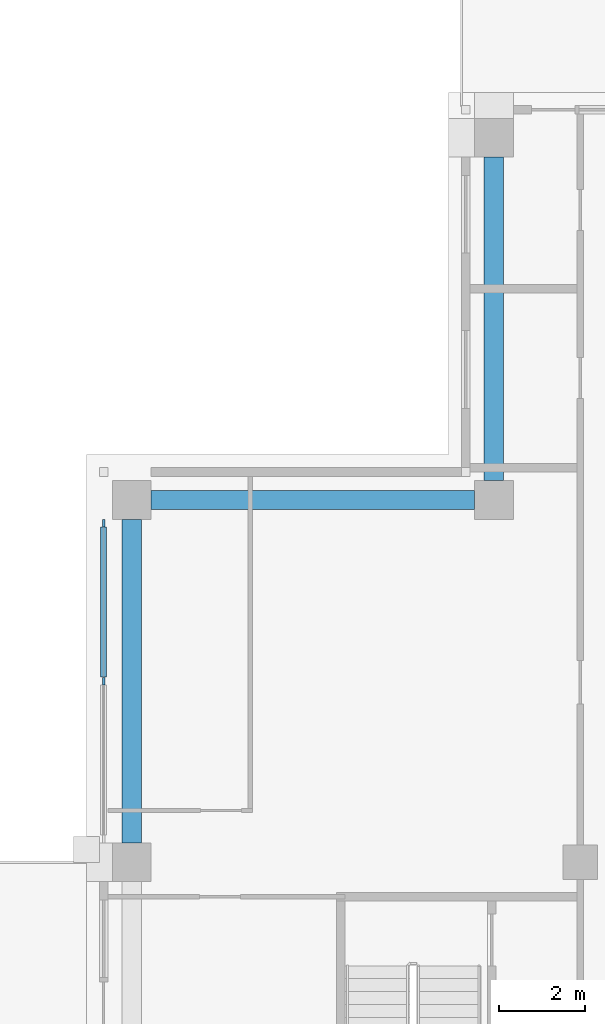
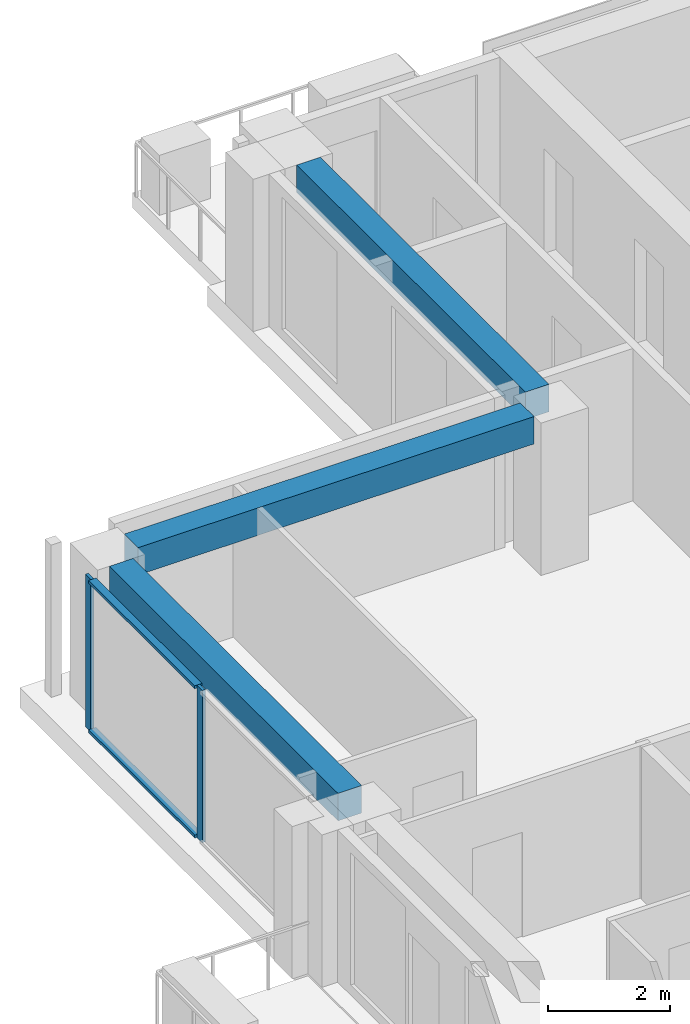
# One storey, part 5 of 17: 4 members, 3 beams, 1 element without a shape of its own.
"""IFC4 building model written with IfcOpenShell, lengths in metres."""

import ifcopenshell
import ifcopenshell.guid

model = None  # the IFC model being written
_history = None  # IfcOwnerHistory: only IFC2X3 demands one
_inside = {}  # id of a spatial element -> (the spatial element, [elements in it])
_under = {}  # id of a project, library or spatial element -> (it, [spatial elements below it])
_declared = {}  # id of a project -> (the project, [libraries it declares])
_typed = {}  # id of a type object -> (the type object, [elements of that type])
_made_of = {}  # id of a material, layer set ... -> (it, [elements and type objects made of it])


def new_model(schema):
    """Start an empty IFC model of exactly this schema.

    Asked for "IFC4X3", IfcOpenShell would pick the latest addendum, in which some entities
    have other attributes; the version numbers below select the first issue.
    IFC2X3 requires an IfcOwnerHistory on every rooted entity: one is made here for all.
    """
    global model, _history
    if schema == "IFC4X3":
        model = ifcopenshell.file(schema_version=(4, 3, 0, 0))
    else:
        model = ifcopenshell.file(schema=schema)
    _inside.clear()
    _under.clear()
    _declared.clear()
    _typed.clear()
    _made_of.clear()
    _history = None
    if model.schema == "IFC2X3":
        org = make("IfcOrganization", Name="unknown")
        user = make(
            "IfcPersonAndOrganization",
            ThePerson=make("IfcPerson", FamilyName="unknown"),
            TheOrganization=org,
        )
        app = make(
            "IfcApplication",
            ApplicationDeveloper=org,
            Version="unknown",
            ApplicationFullName="unknown",
            ApplicationIdentifier="unknown",
        )
        _history = make(
            "IfcOwnerHistory",
            OwningUser=user,
            OwningApplication=app,
            ChangeAction="ADDED",
            CreationDate=0,
        )
    return model


def make(cls, **values):
    """One entity of the class cls with the attributes given. An attribute that is None is left unset."""
    return model.create_entity(
        cls, **{name: value for name, value in values.items() if value is not None}
    )


def rooted(cls, **values):
    """An entity with a GlobalId (a new one), such as an element, a storey or a relation."""
    return make(cls, GlobalId=ifcopenshell.guid.new(), OwnerHistory=_history, **values)


def si_unit(unit_type, name, prefix=None):
    """IfcSIUnit, for example si_unit("LENGTHUNIT", "METRE", prefix="MILLI")."""
    return make("IfcSIUnit", UnitType=unit_type, Prefix=prefix, Name=name)


def assignment(units):
    """IfcUnitAssignment: the units of a project."""
    return None if units is None else make("IfcUnitAssignment", Units=units)


def point(xyz):
    """IfcCartesianPoint."""
    return None if xyz is None else make("IfcCartesianPoint", Coordinates=xyz)


def direction(xyz):
    """IfcDirection."""
    return None if xyz is None else make("IfcDirection", DirectionRatios=xyz)


def frame(location, z_axis=None, x_axis=None):
    """IfcAxis2Placement3D, a coordinate frame: its origin and axes. An axis left out is left unset."""
    return make(
        "IfcAxis2Placement3D",
        Location=point(location),
        Axis=direction(z_axis),
        RefDirection=direction(x_axis),
    )


def frame_2d(location, x_axis=None):
    """IfcAxis2Placement2D, a coordinate frame in the plane: its origin and x axis."""
    return make(
        "IfcAxis2Placement2D", Location=point(location), RefDirection=direction(x_axis)
    )


def origin():
    """The frame at (0, 0, 0) with its axes left unset."""
    return frame((0.0, 0.0, 0.0))


def origin_2d():
    """The frame at (0, 0) in the plane with its x axis left unset."""
    return frame_2d((0.0, 0.0))


def place(relative_to, where):
    """IfcLocalPlacement: puts the frame where relative to a parent placement (None: the world)."""
    return make(
        "IfcLocalPlacement", PlacementRelTo=relative_to, RelativePlacement=where
    )


def context(
    kind, dimensions, precision=None, world=None, true_north=None, identifier=None
):
    """IfcGeometricRepresentationContext, for example the 3D "Model" context."""
    return make(
        "IfcGeometricRepresentationContext",
        ContextIdentifier=identifier,
        ContextType=kind,
        CoordinateSpaceDimension=dimensions,
        Precision=precision,
        WorldCoordinateSystem=world,
        TrueNorth=true_north,
    )


def subcontext(parent, identifier, kind, view, scale=None):
    """IfcGeometricRepresentationSubContext, for example "Body" below "Model"."""
    return make(
        "IfcGeometricRepresentationSubContext",
        ContextIdentifier=identifier,
        ContextType=kind,
        ParentContext=parent,
        TargetScale=scale,
        TargetView=view,
    )


def project(units=None, contexts=None):
    """IfcProject with its units and contexts."""
    return rooted(
        "IfcProject",
        Name="project",
        RepresentationContexts=contexts,
        UnitsInContext=assignment(units),
    )


def spatial(cls, under=None, at=None, **own):
    """A site, building, storey or space (cls), placed at a placement, below another one or the project."""
    s = rooted(cls, ObjectPlacement=at, **own)
    if under is not None:
        _under.setdefault(under.id(), (under, []))[1].append(s)
    return s


def profile(cls, at=None, kind="AREA", **sizes):
    """A parametric profile (cls). Its sizes go by their IFC names, for example OverallWidth=200.0."""
    return make(cls, ProfileType=kind, Position=at, **sizes)


def rectangle(**sizes):
    """IfcRectangleProfileDef."""
    return profile("IfcRectangleProfileDef", **sizes)


def extrude(swept, where, along, depth):
    """IfcExtrudedAreaSolid: the profile swept, set in the frame where, extruded along a direction by depth."""
    return make(
        "IfcExtrudedAreaSolid",
        SweptArea=swept,
        Position=where,
        ExtrudedDirection=direction(along),
        Depth=depth,
    )


def shape(context_of_items, identifier, shape_type, items):
    """IfcShapeRepresentation: the items that make up one representation, for example the "Body"."""
    return make(
        "IfcShapeRepresentation",
        ContextOfItems=context_of_items,
        RepresentationIdentifier=identifier,
        RepresentationType=shape_type,
        Items=items,
    )


def material(Name=None, Category=None):
    """IfcMaterial."""
    return make("IfcMaterial", Name=Name, Category=Category)


def material_profile(
    of_material, cross_section, Name=None, Category=None, Priority=None
):
    """IfcMaterialProfile: a cross section and its material."""
    return make(
        "IfcMaterialProfile",
        Name=Name,
        Material=of_material,
        Profile=cross_section,
        Priority=Priority,
        Category=Category,
    )


def profile_set(profiles, Name=None, composite=None):
    """IfcMaterialProfileSet."""
    return make(
        "IfcMaterialProfileSet",
        Name=Name,
        MaterialProfiles=profiles,
        CompositeProfile=composite,
    )


def made_of(thing, what):
    """Note that an element or type object is made of a material, layer set ...; save() writes the relation."""
    if what is not None:
        _made_of.setdefault(what.id(), (what, []))[1].append(thing)
    return thing


def type_object(cls, material=None, **own):
    """A type object (cls), such as IfcWallType, which elements share."""
    return made_of(rooted(cls, **own), material)


def element(
    cls,
    number,
    at=None,
    inside=None,
    cuts=None,
    type_object=None,
    material=None,
    context=None,
    identifier="Body",
    shape_type=None,
    held_by="IfcProductDefinitionShape",
    body=None,
    shapes=None,
    **own,
):
    """One element of the class cls, such as IfcWall. Its Tag is "e" and its number.

    at: its placement. inside: the storey or other place that contains it. cuts: it is an
    opening in that element (IfcRelVoidsElement). A single representation is given by context,
    identifier, shape_type and body (its items); several are given by shapes. held_by: the class
    of the entity that holds the representations. save() writes the other relations.
    """
    e = rooted(cls, Tag="e%d" % number, ObjectPlacement=at, **own)
    if body is not None:
        shapes = [shape(context, identifier, shape_type, body)]
    if shapes is not None:
        e.Representation = make(held_by, Representations=shapes)
    if inside is not None:
        _inside.setdefault(inside.id(), (inside, []))[1].append(e)
    if cuts is not None:
        rooted(
            "IfcRelVoidsElement", RelatingBuildingElement=cuts, RelatedOpeningElement=e
        )
    if type_object is not None:
        _typed.setdefault(type_object.id(), (type_object, []))[1].append(e)
    return made_of(e, material)


def aggregate(whole, parts):
    """IfcRelAggregates: a whole, such as a stair, and the parts it consists of."""
    return rooted("IfcRelAggregates", RelatingObject=whole, RelatedObjects=parts)


def save(model, path):
    """Write the relations noted so far, then the file.

    IfcRelAggregates (storeys below a building ...), IfcRelContainedInSpatialStructure (elements
    in a storey), IfcRelDefinesByType, IfcRelAssociatesMaterial and IfcRelDeclares: one each for
    every whole, place, type object, material and project.
    """
    for whole, parts in _under.values():
        aggregate(whole, parts)
    for where, things in _inside.values():
        rooted(
            "IfcRelContainedInSpatialStructure",
            RelatedElements=things,
            RelatingStructure=where,
        )
    for kind, things in _typed.values():
        rooted("IfcRelDefinesByType", RelatedObjects=things, RelatingType=kind)
    for what, things in _made_of.values():
        rooted("IfcRelAssociatesMaterial", RelatedObjects=things, RelatingMaterial=what)
    for by, libraries in _declared.values():
        rooted("IfcRelDeclares", RelatingContext=by, RelatedDefinitions=libraries)
    model.write(path)


model = new_model("IFC4")

# Units and contexts
model_context = context("Model", 3, precision=1e-05, world=origin(), true_north=direction((0.0, 1.0)))
body_context = subcontext(model_context, "Body", "Model", "MODEL_VIEW")
ifc_project = project(units=[si_unit("LENGTHUNIT", "METRE"), si_unit("AREAUNIT", "SQUARE_METRE"), si_unit("VOLUMEUNIT", "CUBIC_METRE"), si_unit("PLANEANGLEUNIT", "RADIAN"), si_unit("MASSUNIT", "GRAM", prefix="KILO")], contexts=[model_context])

# Site, building, storey
site_placement = place(None, origin())
site = spatial("IfcSite", under=ifc_project, at=site_placement, CompositionType="ELEMENT")
building_placement = place(site_placement, origin())
building = spatial("IfcBuilding", under=site, at=building_placement, Name="Vermilion Ogive Tower", CompositionType="ELEMENT")
storey_placement = place(building_placement, frame((0.0, 0.0, 244.14990234375)))
storey = spatial("IfcBuildingStorey", under=building, at=storey_placement, Name="L64", CompositionType="ELEMENT", Elevation=244.14990234375)

# Curtain wall, members
ifc_material_1 = material(Name="Low-iron laminated glazing in aluminium frame", Category="aluminium")
curtain_wall_type = type_object("IfcCurtainWallType", Name="Curtain wall CW7", PredefinedType="NOTDEFINED", material=ifc_material_1)
curtain_wall_placement = place(storey_placement, origin())
curtain_wall = element("IfcCurtainWall", 1, at=curtain_wall_placement, inside=storey, type_object=curtain_wall_type, Name="Glazed skin W1", PredefinedType="NOTDEFINED")
ifc_material_2 = material(Name="Aluminium mullion", Category="aluminium")
ifc_material_profile_1 = material_profile(ifc_material_2, rectangle(XDim=0.06005859375, YDim=0.179931640625, at=origin_2d()), Name="AL 60x180")
ifc_profile_set_1 = profile_set([ifc_material_profile_1], Name="Aluminium mullion")
member_type_1 = type_object("IfcMemberType", Name="CW7 mullion 60x180", PredefinedType="MULLION", material=ifc_profile_set_1)
member_1_placement = place(storey_placement, frame((-25.85009765625, 12.06005859375, 0.0), z_axis=(0.0, 0.0, 1.0), x_axis=(1.0, 0.0, 0.0)))
member_1 = element("IfcMember", 2, at=member_1_placement, type_object=member_type_1, Name="CW7-W1 mullion 1", PredefinedType="MULLION", context=body_context, shape_type="SweptSolid", body=[
    extrude(rectangle(XDim=0.06005859375, YDim=0.179931640625, at=origin_2d()), origin(), (0.0, 0.0, 1.0), 3.050048828125),
])
member_2_placement = place(storey_placement, frame((-25.85009765625, 8.39990234375, 0.0), z_axis=(0.0, 0.0, 1.0), x_axis=(1.0, 0.0, 0.0)))
member_2 = element("IfcMember", 3, at=member_2_placement, type_object=member_type_1, Name="CW7-W1 mullion 2", PredefinedType="MULLION", context=body_context, shape_type="SweptSolid", body=[
    extrude(rectangle(XDim=0.06005859375, YDim=0.179931640625, at=origin_2d()), origin(), (0.0, 0.0, 1.0), 3.050048828125),
])
ifc_material_3 = material(Name="Aluminium transom", Category="aluminium")
ifc_material_profile_2 = material_profile(ifc_material_3, rectangle(XDim=0.139892578125, YDim=0.06005859375, at=origin_2d()), Name="AL 60x140")
ifc_profile_set_2 = profile_set([ifc_material_profile_2], Name="Aluminium transom")
member_type_2 = type_object("IfcMemberType", Name="CW7 transom 60x140", PredefinedType="USERDEFINED", material=ifc_profile_set_2)
member_3_placement = place(storey_placement, frame((-25.85009765625, 11.969970703125, 0.030029296875), z_axis=(0.0, -1.0, 0.0), x_axis=(1.0, 0.0, 0.0)))
member_3 = element("IfcMember", 4, at=member_3_placement, type_object=member_type_2, Name="CW7-W1 transom 1.1", ObjectType="TRANSOM", PredefinedType="USERDEFINED", context=body_context, shape_type="SweptSolid", body=[
    extrude(rectangle(XDim=0.139892578125, YDim=0.06005859375, at=origin_2d()), origin(), (0.0, 0.0, 1.0), 3.47998046875),
])
member_4_placement = place(storey_placement, frame((-25.85009765625, 11.969970703125, 3.02001953125), z_axis=(0.0, -1.0, 0.0), x_axis=(1.0, 0.0, 0.0)))
member_4 = element("IfcMember", 5, at=member_4_placement, type_object=member_type_2, Name="CW7-W1 transom 1.2", ObjectType="TRANSOM", PredefinedType="USERDEFINED", context=body_context, shape_type="SweptSolid", body=[
    extrude(rectangle(XDim=0.139892578125, YDim=0.06005859375, at=origin_2d()), origin(), (0.0, 0.0, 1.0), 3.47998046875),
])
aggregate(curtain_wall, [member_1, member_2, member_3, member_4])

# Beams
ifc_material_4 = material(Name="Concrete B45", Category="concrete")
ifc_material_profile_3 = material_profile(ifc_material_4, rectangle(XDim=0.449951171875, YDim=0.550048828125, at=origin_2d()), Name="450 x 550")
ifc_profile_set_3 = profile_set([ifc_material_profile_3], Name="Concrete B45")
beam_type = type_object("IfcBeamType", Name="Edge beam 450 x 550 B45", PredefinedType="BEAM", material=ifc_profile_set_3)
for number, where, z_axis, x_axis, name in (
    (6, (-16.800048828125, 20.550048828125, 2.775146484375), (0.0, -1.0, 0.0), (1.0, 0.0, 0.0), "L64-EB-12"),
    (7, (-17.25, 12.60009765625, 2.775146484375), (-1.0, 0.0, 0.0), (0.0, -1.0, 0.0), "L64-EB-13"),
    (8, (-25.199951171875, 12.14990234375, 2.775146484375), (0.0, -1.0, 0.0), (1.0, 0.0, 0.0), "L64-EB-14"),
):
    element("IfcBeam", number, at=place(storey_placement, frame(where, z_axis=z_axis, x_axis=x_axis)), inside=storey, type_object=beam_type, Name=name, PredefinedType="BEAM", context=body_context, shape_type="SweptSolid", body=[
        extrude(rectangle(XDim=0.449951171875, YDim=0.550048828125, at=origin_2d()), origin(), (0.0, 0.0, 1.0), 7.5),
    ])

save(model, "model.ifc")
